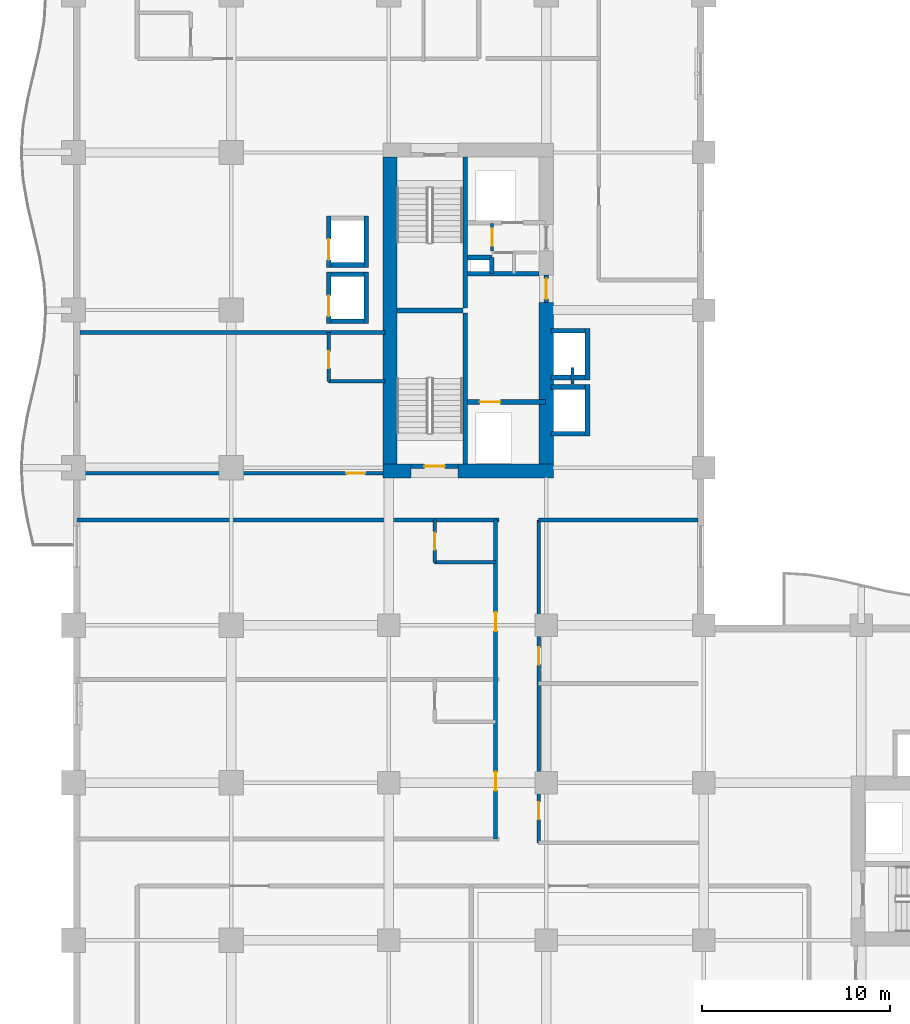
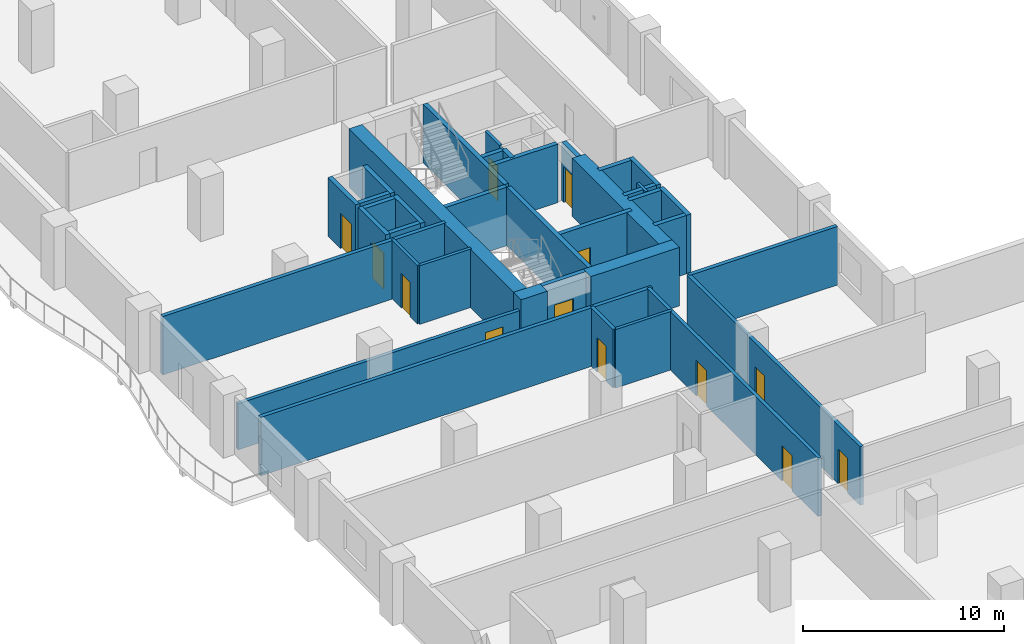
# One storey, part 12 of 23: 38 walls, 13 doors, 13 openings.
"""IFC4 building model written with IfcOpenShell, lengths in metres."""

import ifcopenshell
import ifcopenshell.guid

model = None  # the IFC model being written
_history = None  # IfcOwnerHistory: only IFC2X3 demands one
_inside = {}  # id of a spatial element -> (the spatial element, [elements in it])
_under = {}  # id of a project, library or spatial element -> (it, [spatial elements below it])
_declared = {}  # id of a project -> (the project, [libraries it declares])
_typed = {}  # id of a type object -> (the type object, [elements of that type])
_made_of = {}  # id of a material, layer set ... -> (it, [elements and type objects made of it])


def new_model(schema):
    """Start an empty IFC model of exactly this schema.

    Asked for "IFC4X3", IfcOpenShell would pick the latest addendum, in which some entities
    have other attributes; the version numbers below select the first issue.
    IFC2X3 requires an IfcOwnerHistory on every rooted entity: one is made here for all.
    """
    global model, _history
    if schema == "IFC4X3":
        model = ifcopenshell.file(schema_version=(4, 3, 0, 0))
    else:
        model = ifcopenshell.file(schema=schema)
    _inside.clear()
    _under.clear()
    _declared.clear()
    _typed.clear()
    _made_of.clear()
    _history = None
    if model.schema == "IFC2X3":
        org = make("IfcOrganization", Name="unknown")
        user = make(
            "IfcPersonAndOrganization",
            ThePerson=make("IfcPerson", FamilyName="unknown"),
            TheOrganization=org,
        )
        app = make(
            "IfcApplication",
            ApplicationDeveloper=org,
            Version="unknown",
            ApplicationFullName="unknown",
            ApplicationIdentifier="unknown",
        )
        _history = make(
            "IfcOwnerHistory",
            OwningUser=user,
            OwningApplication=app,
            ChangeAction="ADDED",
            CreationDate=0,
        )
    return model


def make(cls, **values):
    """One entity of the class cls with the attributes given. An attribute that is None is left unset."""
    return model.create_entity(
        cls, **{name: value for name, value in values.items() if value is not None}
    )


def rooted(cls, **values):
    """An entity with a GlobalId (a new one), such as an element, a storey or a relation."""
    return make(cls, GlobalId=ifcopenshell.guid.new(), OwnerHistory=_history, **values)


def si_unit(unit_type, name, prefix=None):
    """IfcSIUnit, for example si_unit("LENGTHUNIT", "METRE", prefix="MILLI")."""
    return make("IfcSIUnit", UnitType=unit_type, Prefix=prefix, Name=name)


def assignment(units):
    """IfcUnitAssignment: the units of a project."""
    return None if units is None else make("IfcUnitAssignment", Units=units)


def point(xyz):
    """IfcCartesianPoint."""
    return None if xyz is None else make("IfcCartesianPoint", Coordinates=xyz)


def direction(xyz):
    """IfcDirection."""
    return None if xyz is None else make("IfcDirection", DirectionRatios=xyz)


def frame(location, z_axis=None, x_axis=None):
    """IfcAxis2Placement3D, a coordinate frame: its origin and axes. An axis left out is left unset."""
    return make(
        "IfcAxis2Placement3D",
        Location=point(location),
        Axis=direction(z_axis),
        RefDirection=direction(x_axis),
    )


def frame_2d(location, x_axis=None):
    """IfcAxis2Placement2D, a coordinate frame in the plane: its origin and x axis."""
    return make(
        "IfcAxis2Placement2D", Location=point(location), RefDirection=direction(x_axis)
    )


def origin():
    """The frame at (0, 0, 0) with its axes left unset."""
    return frame((0.0, 0.0, 0.0))


def place(relative_to, where):
    """IfcLocalPlacement: puts the frame where relative to a parent placement (None: the world)."""
    return make(
        "IfcLocalPlacement", PlacementRelTo=relative_to, RelativePlacement=where
    )


def context(
    kind, dimensions, precision=None, world=None, true_north=None, identifier=None
):
    """IfcGeometricRepresentationContext, for example the 3D "Model" context."""
    return make(
        "IfcGeometricRepresentationContext",
        ContextIdentifier=identifier,
        ContextType=kind,
        CoordinateSpaceDimension=dimensions,
        Precision=precision,
        WorldCoordinateSystem=world,
        TrueNorth=true_north,
    )


def subcontext(parent, identifier, kind, view, scale=None):
    """IfcGeometricRepresentationSubContext, for example "Body" below "Model"."""
    return make(
        "IfcGeometricRepresentationSubContext",
        ContextIdentifier=identifier,
        ContextType=kind,
        ParentContext=parent,
        TargetScale=scale,
        TargetView=view,
    )


def project(units=None, contexts=None):
    """IfcProject with its units and contexts."""
    return rooted(
        "IfcProject",
        Name="project",
        RepresentationContexts=contexts,
        UnitsInContext=assignment(units),
    )


def spatial(cls, under=None, at=None, **own):
    """A site, building, storey or space (cls), placed at a placement, below another one or the project."""
    s = rooted(cls, ObjectPlacement=at, **own)
    if under is not None:
        _under.setdefault(under.id(), (under, []))[1].append(s)
    return s


def profile(cls, at=None, kind="AREA", **sizes):
    """A parametric profile (cls). Its sizes go by their IFC names, for example OverallWidth=200.0."""
    return make(cls, ProfileType=kind, Position=at, **sizes)


def rectangle(**sizes):
    """IfcRectangleProfileDef."""
    return profile("IfcRectangleProfileDef", **sizes)


def extrude(swept, where, along, depth):
    """IfcExtrudedAreaSolid: the profile swept, set in the frame where, extruded along a direction by depth."""
    return make(
        "IfcExtrudedAreaSolid",
        SweptArea=swept,
        Position=where,
        ExtrudedDirection=direction(along),
        Depth=depth,
    )


def shape(context_of_items, identifier, shape_type, items):
    """IfcShapeRepresentation: the items that make up one representation, for example the "Body"."""
    return make(
        "IfcShapeRepresentation",
        ContextOfItems=context_of_items,
        RepresentationIdentifier=identifier,
        RepresentationType=shape_type,
        Items=items,
    )


def material(Name=None, Category=None):
    """IfcMaterial."""
    return make("IfcMaterial", Name=Name, Category=Category)


def layer(
    of_material, thickness, ventilated=None, Name=None, Category=None, Priority=None
):
    """IfcMaterialLayer: one layer of a wall or slab, of a material (None: an air gap)."""
    return make(
        "IfcMaterialLayer",
        Material=of_material,
        LayerThickness=thickness,
        IsVentilated=ventilated,
        Name=Name,
        Category=Category,
        Priority=Priority,
    )


def layer_set(layers, Name=None):
    """IfcMaterialLayerSet."""
    return make("IfcMaterialLayerSet", MaterialLayers=layers, LayerSetName=Name)


def made_of(thing, what):
    """Note that an element or type object is made of a material, layer set ...; save() writes the relation."""
    if what is not None:
        _made_of.setdefault(what.id(), (what, []))[1].append(thing)
    return thing


def type_object(cls, material=None, **own):
    """A type object (cls), such as IfcWallType, which elements share."""
    return made_of(rooted(cls, **own), material)


def element(
    cls,
    number,
    at=None,
    inside=None,
    cuts=None,
    type_object=None,
    material=None,
    context=None,
    identifier="Body",
    shape_type=None,
    held_by="IfcProductDefinitionShape",
    body=None,
    shapes=None,
    **own,
):
    """One element of the class cls, such as IfcWall. Its Tag is "e" and its number.

    at: its placement. inside: the storey or other place that contains it. cuts: it is an
    opening in that element (IfcRelVoidsElement). A single representation is given by context,
    identifier, shape_type and body (its items); several are given by shapes. held_by: the class
    of the entity that holds the representations. save() writes the other relations.
    """
    e = rooted(cls, Tag="e%d" % number, ObjectPlacement=at, **own)
    if body is not None:
        shapes = [shape(context, identifier, shape_type, body)]
    if shapes is not None:
        e.Representation = make(held_by, Representations=shapes)
    if inside is not None:
        _inside.setdefault(inside.id(), (inside, []))[1].append(e)
    if cuts is not None:
        rooted(
            "IfcRelVoidsElement", RelatingBuildingElement=cuts, RelatedOpeningElement=e
        )
    if type_object is not None:
        _typed.setdefault(type_object.id(), (type_object, []))[1].append(e)
    return made_of(e, material)


def fill(opening, filler):
    """IfcRelFillsElement: the door or window that sits in an opening."""
    return rooted(
        "IfcRelFillsElement",
        RelatingOpeningElement=opening,
        RelatedBuildingElement=filler,
    )


def aggregate(whole, parts):
    """IfcRelAggregates: a whole, such as a stair, and the parts it consists of."""
    return rooted("IfcRelAggregates", RelatingObject=whole, RelatedObjects=parts)


def save(model, path):
    """Write the relations noted so far, then the file.

    IfcRelAggregates (storeys below a building ...), IfcRelContainedInSpatialStructure (elements
    in a storey), IfcRelDefinesByType, IfcRelAssociatesMaterial and IfcRelDeclares: one each for
    every whole, place, type object, material and project.
    """
    for whole, parts in _under.values():
        aggregate(whole, parts)
    for where, things in _inside.values():
        rooted(
            "IfcRelContainedInSpatialStructure",
            RelatedElements=things,
            RelatingStructure=where,
        )
    for kind, things in _typed.values():
        rooted("IfcRelDefinesByType", RelatedObjects=things, RelatingType=kind)
    for what, things in _made_of.values():
        rooted("IfcRelAssociatesMaterial", RelatedObjects=things, RelatingMaterial=what)
    for by, libraries in _declared.values():
        rooted("IfcRelDeclares", RelatingContext=by, RelatedDefinitions=libraries)
    model.write(path)


model = new_model("IFC4")

# Units and contexts
model_context = context("Model", 3, precision=1e-05, world=origin(), true_north=direction((0.0, 1.0)))
body_context = subcontext(model_context, "Body", "Model", "MODEL_VIEW")
ifc_project = project(units=[si_unit("LENGTHUNIT", "METRE"), si_unit("AREAUNIT", "SQUARE_METRE"), si_unit("VOLUMEUNIT", "CUBIC_METRE"), si_unit("PLANEANGLEUNIT", "RADIAN"), si_unit("MASSUNIT", "GRAM", prefix="KILO")], contexts=[model_context])

# Site, building, storey
site_placement = place(None, origin())
site = spatial("IfcSite", under=ifc_project, at=site_placement, CompositionType="ELEMENT")
building_placement = place(site_placement, origin())
building = spatial("IfcBuilding", under=site, at=building_placement, Name="Koriwani Terraces Tower", CompositionType="ELEMENT")
storey_placement = place(building_placement, frame((0.0, 0.0, 134.199951171875)))
storey = spatial("IfcBuildingStorey", under=building, at=storey_placement, Name="L32", CompositionType="ELEMENT", Elevation=134.199951171875)

# Walls
ifc_material_1 = material(Name="Concrete C60/75", Category="concrete")
ifc_layer_1 = layer(ifc_material_1, 0.75, Name="Concrete C60/75")
ifc_layer_set_1 = layer_set([ifc_layer_1], Name="Concrete C60/75")
wall_type_1 = type_object("IfcWallType", Name="WALL_CORE_RC_750", PredefinedType="SHEAR", material=ifc_layer_set_1)
wall_1_placement = place(storey_placement, frame((16.5, 41.824951171875, 0.0), z_axis=(0.0, 0.0, 1.0), x_axis=(1.0, 0.0, 0.0)))
element("IfcWall", 1, at=wall_1_placement, inside=storey, type_object=wall_type_1, Name="L32 West Split Core Shear Wall S1", PredefinedType="SHEAR", context=body_context, shape_type="SweptSolid", body=[
    extrude(rectangle(XDim=1.5, YDim=0.75, at=frame_2d((0.75, 0.0))), origin(), (0.0, 0.0, 1.0), 3.550048828125),
])
wall_2_placement = place(storey_placement, frame((20.5, 41.824951171875, 0.0), z_axis=(0.0, 0.0, 1.0), x_axis=(1.0, 0.0, 0.0)))
element("IfcWall", 2, at=wall_2_placement, inside=storey, type_object=wall_type_1, Name="L32 West Split Core Shear Wall S2", PredefinedType="SHEAR", context=body_context, shape_type="SweptSolid", body=[
    extrude(rectangle(XDim=5.074951171875, YDim=0.75, at=frame_2d((2.53759765625, 0.0))), origin(), (0.0, 0.0, 1.0), 3.550048828125),
])
wall_3_placement = place(storey_placement, frame((16.875, 42.199951171875, 0.0), z_axis=(0.0, 0.0, 1.0), x_axis=(0.0, 1.0, 0.0)))
element("IfcWall", 3, at=wall_3_placement, inside=storey, type_object=wall_type_1, Name="L32 West Split Core Shear Wall W1", PredefinedType="SHEAR", context=body_context, shape_type="SweptSolid", body=[
    extrude(rectangle(XDim=16.35009765625, YDim=0.75, at=frame_2d((8.175048828125, 0.0))), origin(), (0.0, 0.0, 1.0), 3.550048828125),
])
wall_4_placement = place(storey_placement, frame((25.199951171875, 42.199951171875, 0.0), z_axis=(0.0, 0.0, 1.0), x_axis=(0.0, 1.0, 0.0)))
element("IfcWall", 4, at=wall_4_placement, inside=storey, type_object=wall_type_1, Name="L32 West Split Core Shear Wall E1", PredefinedType="SHEAR", context=body_context, shape_type="SweptSolid", body=[
    extrude(rectangle(XDim=8.60009765625, YDim=0.75, at=frame_2d((4.300048828125, 0.0))), origin(), (0.0, 0.0, 1.0), 3.550048828125),
])

# Wall, opening, door
ifc_material_2 = material(Name="Autoclaved Cellular Concrete Blockwork", Category="masonry")
ifc_layer_2 = layer(ifc_material_2, 0.199951171875, Name="Autoclaved Cellular Concrete Blockwork")
ifc_layer_set_2 = layer_set([ifc_layer_2], Name="Autoclaved Cellular Concrete Blockwork")
wall_type_2 = type_object("IfcWallType", Name="WALL_CORRIDOR_200", PredefinedType="PARTITIONING", material=ifc_layer_set_2)
wall_5_placement = place(storey_placement, frame((0.35009765625, 41.699951171875, 0.0), z_axis=(0.0, 0.0, 1.0), x_axis=(1.0, 0.0, 0.0)))
wall_5 = element("IfcWall", 5, at=wall_5_placement, inside=storey, type_object=wall_type_2, Name="L32 Interior Wall WREC-WS-L32", PredefinedType="PARTITIONING", context=body_context, shape_type="SweptSolid", body=[
    extrude(rectangle(XDim=16.25, YDim=0.199951171875, at=frame_2d((8.125, 0.0))), origin(), (0.0, 0.0, 1.0), 2.800048828125),
])
opening_1_placement = place(wall_5_placement, frame((14.199951171875, 0.0, 0.0)))
opening_1 = element("IfcOpeningElement", 6, at=opening_1_placement, cuts=wall_5, Name="Opening D-05", PredefinedType="OPENING", context=body_context, shape_type="SweptSolid", body=[
    extrude(rectangle(XDim=1.0, YDim=2.14990234375, at=frame_2d((0.5, 1.074951171875))), frame((0.0, 0.10986328125, 0.0), z_axis=(0.0, -1.0, 0.0), x_axis=(1.0, 0.0, 0.0)), (0.0, 0.0, 1.0), 0.219970703125),
])
ifc_material_3 = material(Name="Architectural Oak Fire Door", Category="wood")
door_type_1 = type_object("IfcDoorType", Name="DOOR_SUITE_ENTRY_1000X2150", OperationType="NOTDEFINED", PredefinedType="DOOR", material=ifc_material_3)
door_1_placement = place(opening_1_placement, origin())
door_1 = element("IfcDoor", 7, at=door_1_placement, inside=storey, type_object=door_type_1, Name="L32 Reclaimed West Suite Door", OperationType="SINGLE_SWING_RIGHT", OverallHeight=2.14990234375, OverallWidth=1.0, PredefinedType="DOOR", context=body_context, shape_type="SweptSolid", body=[
    extrude(rectangle(XDim=1.0, YDim=2.14990234375, at=frame_2d((0.5, 1.074951171875))), frame((0.0, 0.02490234375, 0.0), z_axis=(0.0, -1.0, 0.0), x_axis=(1.0, 0.0, 0.0)), (0.0, 0.0, 1.0), 0.050048828125),
])
fill(opening_1, door_1)

# Wall, openings, doors
wall_6_placement = place(storey_placement, frame((24.800048828125, 22.0, 0.0), z_axis=(0.0, 0.0, 1.0), x_axis=(0.0, 1.0, 0.0)))
wall_6 = element("IfcWall", 8, at=wall_6_placement, inside=storey, type_object=wall_type_2, Name="L32 Interior Wall WIC2-W-L32", PredefinedType="PARTITIONING", context=body_context, shape_type="SweptSolid", body=[
    extrude(rectangle(XDim=17.199951171875, YDim=0.199951171875, at=frame_2d((8.60009765625, 0.0))), origin(), (0.0, 0.0, 1.0), 3.550048828125),
])
opening_2_placement = place(wall_6_placement, frame((1.25, 0.0, 0.0)))
opening_2 = element("IfcOpeningElement", 9, at=opening_2_placement, cuts=wall_6, Name="Opening D-06", PredefinedType="OPENING", context=body_context, shape_type="SweptSolid", body=[
    extrude(rectangle(XDim=0.919921875, YDim=2.10009765625, at=frame_2d((0.4599609375, 1.050048828125))), frame((0.0, 0.10986328125, 0.0), z_axis=(0.0, -1.0, 0.0), x_axis=(1.0, 0.0, 0.0)), (0.0, 0.0, 1.0), 0.219970703125),
])
opening_3_placement = place(wall_6_placement, frame((9.5, 0.0, 0.0)))
opening_3 = element("IfcOpeningElement", 10, at=opening_3_placement, cuts=wall_6, Name="Opening D-06", PredefinedType="OPENING", context=body_context, shape_type="SweptSolid", body=[
    extrude(rectangle(XDim=0.919921875, YDim=2.10009765625, at=frame_2d((0.4599609375, 1.050048828125))), frame((0.0, 0.10986328125, 0.0), z_axis=(0.0, -1.0, 0.0), x_axis=(1.0, 0.0, 0.0)), (0.0, 0.0, 1.0), 0.219970703125),
])
door_type_2 = type_object("IfcDoorType", Name="DOOR_ROOM_INT_920X2100", OperationType="NOTDEFINED", PredefinedType="DOOR", material=ifc_material_3)
door_2_placement = place(opening_2_placement, origin())
door_2 = element("IfcDoor", 11, at=door_2_placement, inside=storey, type_object=door_type_2, Name="L32 Inner Court Salon Door", OperationType="SINGLE_SWING_RIGHT", OverallHeight=2.10009765625, OverallWidth=0.919921875, PredefinedType="DOOR", context=body_context, shape_type="SweptSolid", body=[
    extrude(rectangle(XDim=0.919921875, YDim=2.10009765625, at=frame_2d((0.4599609375, 1.050048828125))), frame((0.0, 0.02490234375, 0.0), z_axis=(0.0, -1.0, 0.0), x_axis=(1.0, 0.0, 0.0)), (0.0, 0.0, 1.0), 0.050048828125),
])
fill(opening_2, door_2)
door_3_placement = place(opening_3_placement, origin())
door_3 = element("IfcDoor", 12, at=door_3_placement, inside=storey, type_object=door_type_2, Name="L32 Inner Court Media Room Door", OperationType="SINGLE_SWING_LEFT", OverallHeight=2.10009765625, OverallWidth=0.919921875, PredefinedType="DOOR", context=body_context, shape_type="SweptSolid", body=[
    extrude(rectangle(XDim=0.919921875, YDim=2.10009765625, at=frame_2d((0.4599609375, 1.050048828125))), frame((0.0, 0.02490234375, 0.0), z_axis=(0.0, -1.0, 0.0), x_axis=(1.0, 0.0, 0.0)), (0.0, 0.0, 1.0), 0.050048828125),
])
fill(opening_3, door_3)

wall_7_placement = place(storey_placement, frame((22.5, 22.199951171875, 0.0), z_axis=(0.0, 0.0, 1.0), x_axis=(0.0, 1.0, 0.0)))
wall_7 = element("IfcWall", 13, at=wall_7_placement, inside=storey, type_object=wall_type_2, Name="L32 Interior Wall WCOR-L32-NW-0", PredefinedType="PARTITIONING", context=body_context, shape_type="SweptSolid", body=[
    extrude(rectangle(XDim=17.0, YDim=0.199951171875, at=frame_2d((8.5, 0.0))), origin(), (0.0, 0.0, 1.0), 3.550048828125),
])
opening_4_placement = place(wall_7_placement, frame((2.5849609375, 0.0, 0.0)))
opening_4 = element("IfcOpeningElement", 14, at=opening_4_placement, cuts=wall_7, Name="Opening D-05", PredefinedType="OPENING", context=body_context, shape_type="SweptSolid", body=[
    extrude(rectangle(XDim=1.0, YDim=2.14990234375, at=frame_2d((0.5, 1.074951171875))), frame((0.0, 0.10986328125, 0.0), z_axis=(0.0, -1.0, 0.0), x_axis=(1.0, 0.0, 0.0)), (0.0, 0.0, 1.0), 0.219970703125),
])
opening_5_placement = place(wall_7_placement, frame((11.0849609375, 0.0, 0.0)))
opening_5 = element("IfcOpeningElement", 15, at=opening_5_placement, cuts=wall_7, Name="Opening D-05", PredefinedType="OPENING", context=body_context, shape_type="SweptSolid", body=[
    extrude(rectangle(XDim=1.0, YDim=2.14990234375, at=frame_2d((0.5, 1.074951171875))), frame((0.0, 0.10986328125, 0.0), z_axis=(0.0, -1.0, 0.0), x_axis=(1.0, 0.0, 0.0)), (0.0, 0.0, 1.0), 0.219970703125),
])
door_4_placement = place(opening_4_placement, origin())
door_4 = element("IfcDoor", 16, at=door_4_placement, inside=storey, type_object=door_type_1, Name="Luxury Hotel Suite 32NW1 Entrance Door", OperationType="SINGLE_SWING_RIGHT", OverallHeight=2.14990234375, OverallWidth=1.0, PredefinedType="DOOR", context=body_context, shape_type="SweptSolid", body=[
    extrude(rectangle(XDim=1.0, YDim=2.14990234375, at=frame_2d((0.5, 1.074951171875))), frame((0.0, 0.02490234375, 0.0), z_axis=(0.0, -1.0, 0.0), x_axis=(1.0, 0.0, 0.0)), (0.0, 0.0, 1.0), 0.050048828125),
])
fill(opening_4, door_4)
door_5_placement = place(opening_5_placement, origin())
door_5 = element("IfcDoor", 17, at=door_5_placement, inside=storey, type_object=door_type_1, Name="Luxury Hotel Suite 32NW2 Entrance Door", OperationType="SINGLE_SWING_RIGHT", OverallHeight=2.14990234375, OverallWidth=1.0, PredefinedType="DOOR", context=body_context, shape_type="SweptSolid", body=[
    extrude(rectangle(XDim=1.0, YDim=2.14990234375, at=frame_2d((0.5, 1.074951171875))), frame((0.0, 0.02490234375, 0.0), z_axis=(0.0, -1.0, 0.0), x_axis=(1.0, 0.0, 0.0)), (0.0, 0.0, 1.0), 0.050048828125),
])
fill(opening_5, door_5)

# Walls
ifc_layer_3 = layer(ifc_material_2, 0.219970703125, Name="Autoclaved Cellular Concrete Blockwork")
ifc_layer_set_3 = layer_set([ifc_layer_3], Name="Autoclaved Cellular Concrete Blockwork")
wall_type_3 = type_object("IfcWallType", Name="WALL_DEMISING_220", PredefinedType="PARTITIONING", material=ifc_layer_set_3)
wall_8_placement = place(storey_placement, frame((0.35009765625, 49.199951171875, 0.0), z_axis=(0.0, 0.0, 1.0), x_axis=(1.0, 0.0, 0.0)))
element("IfcWall", 18, at=wall_8_placement, inside=storey, type_object=wall_type_3, Name="L32 Interior Wall WREC-WN-L32", PredefinedType="PARTITIONING", context=body_context, shape_type="SweptSolid", body=[
    extrude(rectangle(XDim=16.25, YDim=0.219970703125, at=frame_2d((8.125, 0.0))), origin(), (0.0, 0.0, 1.0), 3.550048828125),
])
wall_9_placement = place(storey_placement, frame((24.800048828125, 39.199951171875, 0.0), z_axis=(0.0, 0.0, 1.0), x_axis=(1.0, 0.0, 0.0)))
element("IfcWall", 19, at=wall_9_placement, inside=storey, type_object=wall_type_3, Name="L32 Interior Wall WIC2-N-L32", PredefinedType="PARTITIONING", context=body_context, shape_type="SweptSolid", body=[
    extrude(rectangle(XDim=8.5, YDim=0.219970703125, at=frame_2d((4.25, 0.0))), origin(), (0.0, 0.0, 1.0), 3.550048828125),
])
wall_10_placement = place(storey_placement, frame((0.199951171875, 39.199951171875, 0.0), z_axis=(0.0, 0.0, 1.0), x_axis=(1.0, 0.0, 0.0)))
element("IfcWall", 20, at=wall_10_placement, inside=storey, type_object=wall_type_3, Name="L32 Interior Wall WDEME-L32-NW", PredefinedType="PARTITIONING", context=body_context, shape_type="SweptSolid", body=[
    extrude(rectangle(XDim=22.47998046875, YDim=0.219970703125, at=frame_2d((11.239990234375, 0.0))), origin(), (0.0, 0.0, 1.0), 3.550048828125),
])
ifc_material_4 = material(Name="Fire-Rated Acoustic Gypsum Partition", Category="masonry")
ifc_layer_4 = layer(ifc_material_4, 0.179931640625, Name="Fire-Rated Acoustic Gypsum Partition")
ifc_layer_set_4 = layer_set([ifc_layer_4], Name="Fire-Rated Acoustic Gypsum Partition")
wall_type_4 = type_object("IfcWallType", Name="WALL_PLUMBING_180", PredefinedType="PLUMBINGWALL", material=ifc_layer_set_4)
wall_11_placement = place(storey_placement, frame((13.60009765625, 46.60009765625, 0.0), z_axis=(0.0, 0.0, 1.0), x_axis=(1.0, 0.0, 0.0)))
element("IfcWall", 21, at=wall_11_placement, inside=storey, type_object=wall_type_4, Name="L32 Interior Wall WREC-WB1-L32", PredefinedType="PLUMBINGWALL", context=body_context, shape_type="SweptSolid", body=[
    extrude(rectangle(XDim=3.0, YDim=0.179931640625, at=frame_2d((1.5, 0.0))), origin(), (0.0, 0.0, 1.0), 3.550048828125),
])

# Wall, opening, door
wall_12_placement = place(storey_placement, frame((13.60009765625, 46.60009765625, 0.0), z_axis=(0.0, 0.0, 1.0), x_axis=(0.0, 1.0, 0.0)))
wall_12 = element("IfcWall", 22, at=wall_12_placement, inside=storey, type_object=wall_type_4, Name="L32 Interior Wall WREC-WB2-L32", PredefinedType="PLUMBINGWALL", context=body_context, shape_type="SweptSolid", body=[
    extrude(rectangle(XDim=2.599853515625, YDim=0.179931640625, at=frame_2d((1.2998046875, 0.0))), origin(), (0.0, 0.0, 1.0), 3.550048828125),
])
opening_6_placement = place(wall_12_placement, frame((0.699951171875, 0.0, 0.0)))
opening_6 = element("IfcOpeningElement", 23, at=opening_6_placement, cuts=wall_12, Name="Opening D-07", PredefinedType="OPENING", context=body_context, shape_type="SweptSolid", body=[
    extrude(rectangle(XDim=0.89990234375, YDim=2.10009765625, at=frame_2d((0.449951171875, 1.050048828125))), frame((0.0, 0.10009765625, 0.0), z_axis=(0.0, -1.0, 0.0), x_axis=(1.0, 0.0, 0.0)), (0.0, 0.0, 1.0), 0.199951171875),
])
door_type_3 = type_object("IfcDoorType", Name="DOOR_BATH_INT_900X2100", OperationType="NOTDEFINED", PredefinedType="DOOR", material=ifc_material_3)
door_6_placement = place(opening_6_placement, origin())
door_6 = element("IfcDoor", 24, at=door_6_placement, inside=storey, type_object=door_type_3, Name="L32 Reclaimed Suite En-Suite Door", OperationType="SINGLE_SWING_LEFT", OverallHeight=2.10009765625, OverallWidth=0.89990234375, PredefinedType="DOOR", context=body_context, shape_type="SweptSolid", body=[
    extrude(rectangle(XDim=0.89990234375, YDim=2.10009765625, at=frame_2d((0.449951171875, 1.050048828125))), frame((0.0, 0.02490234375, 0.0), z_axis=(0.0, -1.0, 0.0), x_axis=(1.0, 0.0, 0.0)), (0.0, 0.0, 1.0), 0.050048828125),
])
fill(opening_6, door_6)

wall_13_placement = place(storey_placement, frame((19.25, 36.949951171875, 0.0), z_axis=(0.0, 0.0, 1.0), x_axis=(0.0, 1.0, 0.0)))
wall_13 = element("IfcWall", 25, at=wall_13_placement, inside=storey, type_object=wall_type_4, Name="L32 Interior Wall WBTH1-L32-NW-1", PredefinedType="PLUMBINGWALL", context=body_context, shape_type="SweptSolid", body=[
    extrude(rectangle(XDim=2.25, YDim=0.179931640625, at=frame_2d((1.125, 0.0))), origin(), (0.0, 0.0, 1.0), 3.550048828125),
])
opening_7_placement = place(wall_13_placement, frame((0.675048828125, 0.0, 0.0)))
opening_7 = element("IfcOpeningElement", 26, at=opening_7_placement, cuts=wall_13, Name="Opening D-07", PredefinedType="OPENING", context=body_context, shape_type="SweptSolid", body=[
    extrude(rectangle(XDim=0.89990234375, YDim=2.10009765625, at=frame_2d((0.449951171875, 1.050048828125))), frame((0.0, 0.10009765625, 0.0), z_axis=(0.0, -1.0, 0.0), x_axis=(1.0, 0.0, 0.0)), (0.0, 0.0, 1.0), 0.199951171875),
])
door_7_placement = place(opening_7_placement, origin())
door_7 = element("IfcDoor", 27, at=door_7_placement, inside=storey, type_object=door_type_3, Name="En-Suite Bathroom 32NW2 Door", OperationType="SINGLE_SWING_LEFT", OverallHeight=2.10009765625, OverallWidth=0.89990234375, PredefinedType="DOOR", context=body_context, shape_type="SweptSolid", body=[
    extrude(rectangle(XDim=0.89990234375, YDim=2.10009765625, at=frame_2d((0.449951171875, 1.050048828125))), frame((0.0, 0.02490234375, 0.0), z_axis=(0.0, -1.0, 0.0), x_axis=(1.0, 0.0, 0.0)), (0.0, 0.0, 1.0), 0.050048828125),
])
fill(opening_7, door_7)

# Walls
wall_14_placement = place(storey_placement, frame((19.25, 36.949951171875, 0.0), z_axis=(0.0, 0.0, 1.0), x_axis=(1.0, 0.0, 0.0)))
element("IfcWall", 28, at=wall_14_placement, inside=storey, type_object=wall_type_4, Name="L32 Interior Wall WBTH2-L32-NW-1", PredefinedType="PLUMBINGWALL", context=body_context, shape_type="SweptSolid", body=[
    extrude(rectangle(XDim=3.25, YDim=0.179931640625, at=frame_2d((1.625, 0.0))), origin(), (0.0, 0.0, 1.0), 3.550048828125),
])
ifc_material_5 = material(Name="Concrete C40/50", Category="concrete")
ifc_layer_5 = layer(ifc_material_5, 0.25, Name="Concrete C40/50")
ifc_layer_set_5 = layer_set([ifc_layer_5], Name="Concrete C40/50")
wall_type_5 = type_object("IfcWallType", Name="WALL_SHAFT_RATED_250", PredefinedType="SOLIDWALL", material=ifc_layer_set_5)
for number, where, z_axis, x_axis, name in (
    (29, (20.875, 42.199951171875, 0.0), (0.0, 0.0, 1.0), (0.0, 1.0, 0.0), "L32 West Split Core Web Wall MID1"),
    (30, (20.875, 50.5, 0.0), (0.0, 0.0, 1.0), (0.0, 1.0, 0.0), "L32 West Split Core Web Wall MID2"),
):
    element("IfcWall", number, at=place(storey_placement, frame(where, z_axis=z_axis, x_axis=x_axis)), inside=storey, type_object=wall_type_5, Name=name, PredefinedType="SOLIDWALL", context=body_context, shape_type="SweptSolid", body=[
        extrude(rectangle(XDim=8.050048828125, YDim=0.25, at=frame_2d((4.02490234375, 0.0))), origin(), (0.0, 0.0, 1.0), 3.550048828125),
    ])
wall_15_placement = place(storey_placement, frame((17.25, 50.375, 0.0), z_axis=(0.0, 0.0, 1.0), x_axis=(1.0, 0.0, 0.0)))
element("IfcWall", 31, at=wall_15_placement, inside=storey, type_object=wall_type_5, Name="L32 West Split Core Stair Dividing Wall", PredefinedType="SOLIDWALL", context=body_context, shape_type="SweptSolid", body=[
    extrude(rectangle(XDim=3.5, YDim=0.25, at=frame_2d((1.75, 0.0))), origin(), (0.0, 0.0, 1.0), 3.550048828125),
])

# Wall, opening, door
wall_16_placement = place(storey_placement, frame((18.0, 42.074951171875, 0.0), z_axis=(0.0, 0.0, 1.0), x_axis=(1.0, 0.0, 0.0)))
wall_16 = element("IfcWall", 32, at=wall_16_placement, inside=storey, type_object=wall_type_5, Name="L32 Interior Wall WIN-CW-L32-STS", PredefinedType="SOLIDWALL", context=body_context, shape_type="SweptSolid", body=[
    extrude(rectangle(XDim=2.5, YDim=0.25, at=frame_2d((1.25, 0.0))), origin(), (0.0, 0.0, 1.0), 3.550048828125),
])
opening_8_placement = place(wall_16_placement, frame((0.699951171875, 0.0, 0.0)))
opening_8 = element("IfcOpeningElement", 33, at=opening_8_placement, cuts=wall_16, Name="Opening D-03", PredefinedType="OPENING", context=body_context, shape_type="SweptSolid", body=[
    extrude(rectangle(XDim=1.10009765625, YDim=2.14990234375, at=frame_2d((0.550048828125, 1.074951171875))), frame((0.0, 0.135009765625, 0.0), z_axis=(0.0, -1.0, 0.0), x_axis=(1.0, 0.0, 0.0)), (0.0, 0.0, 1.0), 0.27001953125),
])
ifc_material_6 = material(Name="Steel ASTM A572 Grade 50", Category="steel")
door_type_4 = type_object("IfcDoorType", Name="DOOR_STAIR_FIRE_1100X2150", OperationType="NOTDEFINED", PredefinedType="DOOR", material=ifc_material_6)
door_8_placement = place(opening_8_placement, origin())
door_8 = element("IfcDoor", 34, at=door_8_placement, inside=storey, type_object=door_type_4, Name="L32 Exit Stair ST-W1 Door", OperationType="SINGLE_SWING_RIGHT", OverallHeight=2.14990234375, OverallWidth=1.10009765625, PredefinedType="DOOR", context=body_context, shape_type="SweptSolid", body=[
    extrude(rectangle(XDim=1.10009765625, YDim=2.14990234375, at=frame_2d((0.550048828125, 1.074951171875))), frame((0.0, 0.02490234375, 0.0), z_axis=(0.0, -1.0, 0.0), x_axis=(1.0, 0.0, 0.0)), (0.0, 0.0, 1.0), 0.050048828125),
])
fill(opening_8, door_8)

wall_17_placement = place(storey_placement, frame((21.0, 45.5, 0.0), z_axis=(0.0, 0.0, 1.0), x_axis=(1.0, 0.0, 0.0)))
wall_17 = element("IfcWall", 35, at=wall_17_placement, inside=storey, type_object=wall_type_5, Name="L32 Interior Wall WIN-CW-L32-FE", PredefinedType="SOLIDWALL", context=body_context, shape_type="SweptSolid", body=[
    extrude(rectangle(XDim=4.14990234375, YDim=0.25, at=frame_2d((2.074951171875, 0.0))), origin(), (0.0, 0.0, 1.0), 3.550048828125),
])
opening_9_placement = place(wall_17_placement, frame((0.64990234375, 0.0, 0.0)))
opening_9 = element("IfcOpeningElement", 36, at=opening_9_placement, cuts=wall_17, Name="Opening LD-01", PredefinedType="OPENING", context=body_context, shape_type="SweptSolid", body=[
    extrude(rectangle(XDim=1.10009765625, YDim=2.14990234375, at=frame_2d((0.550048828125, 1.074951171875))), frame((0.0, 0.135009765625, 0.0), z_axis=(0.0, -1.0, 0.0), x_axis=(1.0, 0.0, 0.0)), (0.0, 0.0, 1.0), 0.27001953125),
])
door_type_5 = type_object("IfcDoorType", Name="DOOR_LIFT_LANDING_1100X2200", OperationType="NOTDEFINED", PredefinedType="DOOR", material=ifc_material_6)
door_9_placement = place(opening_9_placement, origin())
door_9 = element("IfcDoor", 37, at=door_9_placement, inside=storey, type_object=door_type_5, Name="L32 Firefighting Lift FE-01 Landing Door", OperationType="SLIDING_TO_LEFT", OverallHeight=2.14990234375, OverallWidth=1.10009765625, PredefinedType="DOOR", context=body_context, shape_type="SweptSolid", body=[
    extrude(rectangle(XDim=1.10009765625, YDim=2.14990234375, at=frame_2d((0.550048828125, 1.074951171875))), frame((0.0, 0.02490234375, 0.0), z_axis=(0.0, -1.0, 0.0), x_axis=(1.0, 0.0, 0.0)), (0.0, 0.0, 1.0), 0.050048828125),
])
fill(opening_9, door_9)

wall_18_placement = place(storey_placement, frame((25.199951171875, 50.800048828125, 0.0), z_axis=(0.0, 0.0, 1.0), x_axis=(0.0, 1.0, 0.0)))
wall_18 = element("IfcWall", 38, at=wall_18_placement, inside=storey, type_object=wall_type_5, Name="L32 Interior Wall WIN-CW-L32-EP", PredefinedType="SOLIDWALL", context=body_context, shape_type="SweptSolid", body=[
    extrude(rectangle(XDim=1.47998046875, YDim=0.25, at=frame_2d((0.739990234375, 0.0))), origin(), (0.0, 0.0, 1.0), 3.550048828125),
])
opening_10_placement = place(wall_18_placement, frame((0.179931640625, 0.0, 0.0)))
opening_10 = element("IfcOpeningElement", 39, at=opening_10_placement, cuts=wall_18, Name="Opening D-03", PredefinedType="OPENING", context=body_context, shape_type="SweptSolid", body=[
    extrude(rectangle(XDim=1.10009765625, YDim=2.14990234375, at=frame_2d((0.550048828125, 1.074951171875))), frame((0.0, 0.135009765625, 0.0), z_axis=(0.0, -1.0, 0.0), x_axis=(1.0, 0.0, 0.0)), (0.0, 0.0, 1.0), 0.27001953125),
])
door_10_placement = place(opening_10_placement, origin())
door_10 = element("IfcDoor", 40, at=door_10_placement, inside=storey, type_object=door_type_4, Name="L32 West Firefighting Lobby Door", OperationType="SINGLE_SWING_RIGHT", OverallHeight=2.14990234375, OverallWidth=1.10009765625, PredefinedType="DOOR", context=body_context, shape_type="SweptSolid", body=[
    extrude(rectangle(XDim=1.10009765625, YDim=2.14990234375, at=frame_2d((0.550048828125, 1.074951171875))), frame((0.0, 0.02490234375, 0.0), z_axis=(0.0, -1.0, 0.0), x_axis=(1.0, 0.0, 0.0)), (0.0, 0.0, 1.0), 0.050048828125),
])
fill(opening_10, door_10)

# Walls
wall_19_placement = place(storey_placement, frame((21.0, 52.340087890625, 0.0), z_axis=(0.0, 0.0, 1.0), x_axis=(1.0, 0.0, 0.0)))
element("IfcWall", 41, at=wall_19_placement, inside=storey, type_object=wall_type_5, Name="L32 Interior Wall WIN-CW-L32-FFN", PredefinedType="SOLIDWALL", context=body_context, shape_type="SweptSolid", body=[
    extrude(rectangle(XDim=3.824951171875, YDim=0.25, at=frame_2d((1.91259765625, 0.0))), origin(), (0.0, 0.0, 1.0), 3.550048828125),
])
wall_20_placement = place(storey_placement, frame((21.0, 53.199951171875, 0.0), z_axis=(0.0, 0.0, 1.0), x_axis=(1.0, 0.0, 0.0)))
element("IfcWall", 42, at=wall_20_placement, inside=storey, type_object=wall_type_5, Name="L32 Interior Wall WIN-CW-L32-RS1", PredefinedType="SOLIDWALL", context=body_context, shape_type="SweptSolid", body=[
    extrude(rectangle(XDim=1.300048828125, YDim=0.25, at=frame_2d((0.64990234375, 0.0))), origin(), (0.0, 0.0, 1.0), 3.550048828125),
])
wall_21_placement = place(storey_placement, frame((22.300048828125, 52.360107421875, 0.0), z_axis=(0.0, 0.0, 1.0), x_axis=(0.0, 1.0, 0.0)))
element("IfcWall", 43, at=wall_21_placement, inside=storey, type_object=wall_type_5, Name="L32 Interior Wall WIN-CW-L32-RS2", PredefinedType="SOLIDWALL", context=body_context, shape_type="SweptSolid", body=[
    extrude(rectangle(XDim=0.83984375, YDim=0.25, at=frame_2d((0.419921875, 0.0))), origin(), (0.0, 0.0, 1.0), 3.550048828125),
])

# Wall, opening, door
wall_22_placement = place(storey_placement, frame((13.60009765625, 49.675048828125, 0.0), z_axis=(0.0, 0.0, 1.0), x_axis=(0.0, 1.0, 0.0)))
wall_22 = element("IfcWall", 44, at=wall_22_placement, inside=storey, type_object=wall_type_5, Name="L32 Interior Wall WIN-LF-PE-M1-L32-F", PredefinedType="SOLIDWALL", context=body_context, shape_type="SweptSolid", body=[
    extrude(rectangle(XDim=2.75, YDim=0.25, at=frame_2d((1.375, 0.0))), origin(), (0.0, 0.0, 1.0), 3.550048828125),
])
opening_11_placement = place(wall_22_placement, frame((0.39990234375, 0.0, 0.0)))
opening_11 = element("IfcOpeningElement", 45, at=opening_11_placement, cuts=wall_22, Name="Opening LD-01", PredefinedType="OPENING", context=body_context, shape_type="SweptSolid", body=[
    extrude(rectangle(XDim=1.10009765625, YDim=2.14990234375, at=frame_2d((0.550048828125, 1.074951171875))), frame((0.0, 0.135009765625, 0.0), z_axis=(0.0, -1.0, 0.0), x_axis=(1.0, 0.0, 0.0)), (0.0, 0.0, 1.0), 0.27001953125),
])
door_11_placement = place(opening_11_placement, origin())
door_11 = element("IfcDoor", 46, at=door_11_placement, inside=storey, type_object=door_type_5, Name="L32 Passenger Lift PE-M1 Landing Door", OperationType="SLIDING_TO_LEFT", OverallHeight=2.14990234375, OverallWidth=1.10009765625, PredefinedType="DOOR", context=body_context, shape_type="SweptSolid", body=[
    extrude(rectangle(XDim=1.10009765625, YDim=2.14990234375, at=frame_2d((0.550048828125, 1.074951171875))), frame((0.0, 0.02490234375, 0.0), z_axis=(0.0, -1.0, 0.0), x_axis=(1.0, 0.0, 0.0)), (0.0, 0.0, 1.0), 0.050048828125),
])
fill(opening_11, door_11)

# Walls
wall_23_placement = place(storey_placement, frame((15.60009765625, 49.675048828125, 0.0), z_axis=(0.0, 0.0, 1.0), x_axis=(0.0, 1.0, 0.0)))
element("IfcWall", 47, at=wall_23_placement, inside=storey, type_object=wall_type_5, Name="L32 Interior Wall WIN-LF-PE-M1-L32-B", PredefinedType="SOLIDWALL", context=body_context, shape_type="SweptSolid", body=[
    extrude(rectangle(XDim=2.75, YDim=0.25, at=frame_2d((1.375, 0.0))), origin(), (0.0, 0.0, 1.0), 3.550048828125),
])
for number, where, z_axis, x_axis, name in (
    (48, (13.72509765625, 49.800048828125, 0.0), (0.0, 0.0, 1.0), (1.0, 0.0, 0.0), "L32 Interior Wall WIN-LF-PE-M1-L32-S"),
    (49, (13.72509765625, 52.300048828125, 0.0), (0.0, 0.0, 1.0), (1.0, 0.0, 0.0), "L32 Interior Wall WIN-LF-PE-M1-L32-N"),
):
    element("IfcWall", number, at=place(storey_placement, frame(where, z_axis=z_axis, x_axis=x_axis)), inside=storey, type_object=wall_type_5, Name=name, PredefinedType="SOLIDWALL", context=body_context, shape_type="SweptSolid", body=[
        extrude(rectangle(XDim=1.75, YDim=0.25, at=frame_2d((0.875, 0.0))), origin(), (0.0, 0.0, 1.0), 3.550048828125),
    ])

# Wall, opening, door
wall_24_placement = place(storey_placement, frame((13.60009765625, 52.675048828125, 0.0), z_axis=(0.0, 0.0, 1.0), x_axis=(0.0, 1.0, 0.0)))
wall_24 = element("IfcWall", 50, at=wall_24_placement, inside=storey, type_object=wall_type_5, Name="L32 Interior Wall WIN-LF-PE-M2-L32-F", PredefinedType="SOLIDWALL", context=body_context, shape_type="SweptSolid", body=[
    extrude(rectangle(XDim=2.75, YDim=0.25, at=frame_2d((1.375, 0.0))), origin(), (0.0, 0.0, 1.0), 3.550048828125),
])
opening_12_placement = place(wall_24_placement, frame((0.39990234375, 0.0, 0.0)))
opening_12 = element("IfcOpeningElement", 51, at=opening_12_placement, cuts=wall_24, Name="Opening LD-01", PredefinedType="OPENING", context=body_context, shape_type="SweptSolid", body=[
    extrude(rectangle(XDim=1.10009765625, YDim=2.14990234375, at=frame_2d((0.550048828125, 1.074951171875))), frame((0.0, 0.135009765625, 0.0), z_axis=(0.0, -1.0, 0.0), x_axis=(1.0, 0.0, 0.0)), (0.0, 0.0, 1.0), 0.27001953125),
])
door_12_placement = place(opening_12_placement, origin())
door_12 = element("IfcDoor", 52, at=door_12_placement, inside=storey, type_object=door_type_5, Name="L32 Passenger Lift PE-M2 Landing Door", OperationType="SLIDING_TO_LEFT", OverallHeight=2.14990234375, OverallWidth=1.10009765625, PredefinedType="DOOR", context=body_context, shape_type="SweptSolid", body=[
    extrude(rectangle(XDim=1.10009765625, YDim=2.14990234375, at=frame_2d((0.550048828125, 1.074951171875))), frame((0.0, 0.02490234375, 0.0), z_axis=(0.0, -1.0, 0.0), x_axis=(1.0, 0.0, 0.0)), (0.0, 0.0, 1.0), 0.050048828125),
])
fill(opening_12, door_12)

# Walls
wall_25_placement = place(storey_placement, frame((15.60009765625, 52.675048828125, 0.0), z_axis=(0.0, 0.0, 1.0), x_axis=(0.0, 1.0, 0.0)))
element("IfcWall", 53, at=wall_25_placement, inside=storey, type_object=wall_type_5, Name="L32 Interior Wall WIN-LF-PE-M2-L32-B", PredefinedType="SOLIDWALL", context=body_context, shape_type="SweptSolid", body=[
    extrude(rectangle(XDim=2.75, YDim=0.25, at=frame_2d((1.375, 0.0))), origin(), (0.0, 0.0, 1.0), 3.550048828125),
])
wall_26_placement = place(storey_placement, frame((13.72509765625, 52.800048828125, 0.0), z_axis=(0.0, 0.0, 1.0), x_axis=(1.0, 0.0, 0.0)))
element("IfcWall", 54, at=wall_26_placement, inside=storey, type_object=wall_type_5, Name="L32 Interior Wall WIN-LF-PE-M2-L32-S", PredefinedType="SOLIDWALL", context=body_context, shape_type="SweptSolid", body=[
    extrude(rectangle(XDim=1.75, YDim=0.25, at=frame_2d((0.875, 0.0))), origin(), (0.0, 0.0, 1.0), 3.550048828125),
])
wall_27_placement = place(storey_placement, frame((27.39990234375, 43.675048828125, 0.0), z_axis=(0.0, 0.0, 1.0), x_axis=(0.0, 1.0, 0.0)))
element("IfcWall", 55, at=wall_27_placement, inside=storey, type_object=wall_type_5, Name="L32 Interior Wall WIN-LF-PE-H1-L32-F", PredefinedType="SOLIDWALL", context=body_context, shape_type="SweptSolid", body=[
    extrude(rectangle(XDim=2.75, YDim=0.25, at=frame_2d((1.375, 0.0))), origin(), (0.0, 0.0, 1.0), 3.550048828125),
])
for number, where, z_axis, x_axis, name in (
    (56, (25.449951171875, 43.800048828125, 0.0), (0.0, 0.0, 1.0), (1.0, 0.0, 0.0), "L32 Interior Wall WIN-LF-PE-H1-L32-S"),
    (57, (25.449951171875, 46.300048828125, 0.0), (0.0, 0.0, 1.0), (1.0, 0.0, 0.0), "L32 Interior Wall WIN-LF-PE-H1-L32-N"),
):
    element("IfcWall", number, at=place(storey_placement, frame(where, z_axis=z_axis, x_axis=x_axis)), inside=storey, type_object=wall_type_5, Name=name, PredefinedType="SOLIDWALL", context=body_context, shape_type="SweptSolid", body=[
        extrude(rectangle(XDim=1.824951171875, YDim=0.25, at=frame_2d((0.91259765625, 0.0))), origin(), (0.0, 0.0, 1.0), 3.550048828125),
    ])
wall_28_placement = place(storey_placement, frame((27.39990234375, 46.675048828125, 0.0), z_axis=(0.0, 0.0, 1.0), x_axis=(0.0, 1.0, 0.0)))
element("IfcWall", 58, at=wall_28_placement, inside=storey, type_object=wall_type_5, Name="L32 Interior Wall WIN-LF-PE-H2-L32-F", PredefinedType="SOLIDWALL", context=body_context, shape_type="SweptSolid", body=[
    extrude(rectangle(XDim=2.75, YDim=0.25, at=frame_2d((1.375, 0.0))), origin(), (0.0, 0.0, 1.0), 3.550048828125),
])
for number, where, z_axis, x_axis, name in (
    (59, (25.449951171875, 46.800048828125, 0.0), (0.0, 0.0, 1.0), (1.0, 0.0, 0.0), "L32 Interior Wall WIN-LF-PE-H2-L32-S"),
    (60, (25.449951171875, 49.300048828125, 0.0), (0.0, 0.0, 1.0), (1.0, 0.0, 0.0), "L32 Interior Wall WIN-LF-PE-H2-L32-N"),
):
    element("IfcWall", number, at=place(storey_placement, frame(where, z_axis=z_axis, x_axis=x_axis)), inside=storey, type_object=wall_type_5, Name=name, PredefinedType="SOLIDWALL", context=body_context, shape_type="SweptSolid", body=[
        extrude(rectangle(XDim=1.824951171875, YDim=0.25, at=frame_2d((0.91259765625, 0.0))), origin(), (0.0, 0.0, 1.0), 3.550048828125),
    ])

# Wall, opening, door
ifc_layer_6 = layer(ifc_material_4, 0.159912109375, Name="Fire-Rated Acoustic Gypsum Partition")
ifc_layer_set_6 = layer_set([ifc_layer_6], Name="Fire-Rated Acoustic Gypsum Partition")
wall_type_6 = type_object("IfcWallType", Name="WALL_SUITE_160", PredefinedType="PARTITIONING", material=ifc_layer_set_6)
wall_29_placement = place(storey_placement, frame((22.320068359375, 53.56005859375, 0.0), z_axis=(0.0, 0.0, 1.0), x_axis=(0.0, 1.0, 0.0)))
wall_29 = element("IfcWall", 61, at=wall_29_placement, inside=storey, type_object=wall_type_6, Name="L32 Interior Wall WIN-CW-L32-SV2A", PredefinedType="PARTITIONING", context=body_context, shape_type="SweptSolid", body=[
    extrude(rectangle(XDim=1.43994140625, YDim=0.159912109375, at=frame_2d((0.719970703125, 0.0))), origin(), (0.0, 0.0, 1.0), 3.550048828125),
])
opening_13_placement = place(wall_29_placement, frame((0.260009765625, 0.0, 0.0)))
opening_13 = element("IfcOpeningElement", 62, at=opening_13_placement, cuts=wall_29, Name="Opening D-07", PredefinedType="OPENING", context=body_context, shape_type="SweptSolid", body=[
    extrude(rectangle(XDim=0.89990234375, YDim=2.10009765625, at=frame_2d((0.449951171875, 1.050048828125))), frame((0.0, 0.08984375, 0.0), z_axis=(0.0, -1.0, 0.0), x_axis=(1.0, 0.0, 0.0)), (0.0, 0.0, 1.0), 0.179931640625),
])
door_13_placement = place(opening_13_placement, origin())
door_13 = element("IfcDoor", 63, at=door_13_placement, inside=storey, type_object=door_type_3, Name="L32 West Meter Room Door", OperationType="SINGLE_SWING_RIGHT", OverallHeight=2.10009765625, OverallWidth=0.89990234375, PredefinedType="DOOR", context=body_context, shape_type="SweptSolid", body=[
    extrude(rectangle(XDim=0.89990234375, YDim=2.10009765625, at=frame_2d((0.449951171875, 1.050048828125))), frame((0.0, 0.02490234375, 0.0), z_axis=(0.0, -1.0, 0.0), x_axis=(1.0, 0.0, 0.0)), (0.0, 0.0, 1.0), 0.050048828125),
])
fill(opening_13, door_13)

# Wall
wall_30_placement = place(storey_placement, frame((26.60009765625, 46.4599609375, 0.0), z_axis=(0.0, 0.0, 1.0), x_axis=(0.0, 1.0, 0.0)))
element("IfcWall", 64, at=wall_30_placement, inside=storey, type_object=wall_type_6, Name="L32 Interior Wall WIN-LF-PEH12-MID-L32", PredefinedType="PARTITIONING", context=body_context, shape_type="SweptSolid", body=[
    extrude(rectangle(XDim=0.880126953125, YDim=0.159912109375, at=frame_2d((0.43994140625, 0.0))), origin(), (0.0, 0.0, 1.0), 3.550048828125),
])

save(model, "model.ifc")
